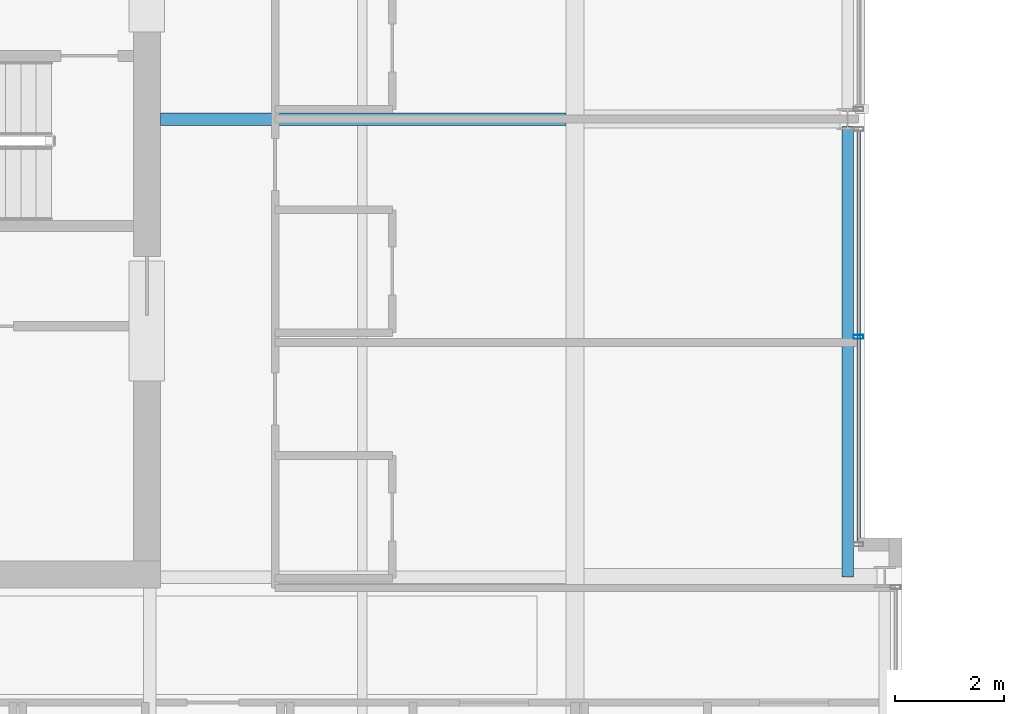
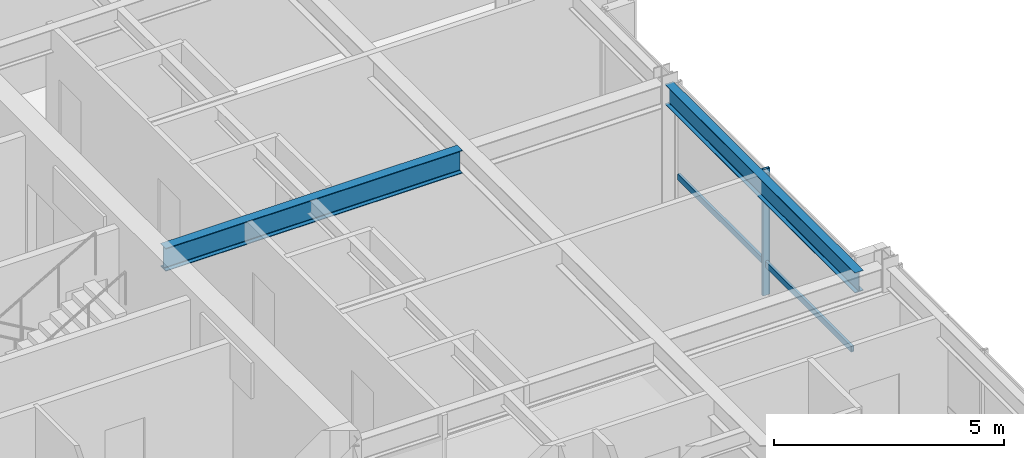
# One storey, part 14 of 33: 2 beams, 2 members, 1 element without a shape of its own.
"""IFC4 building model written with IfcOpenShell, lengths in metres."""

from ifc_helpers import new_model, si_unit, direction, frame, origin, origin_2d, place, context, subcontext, project, spatial, hollow_rectangle, i_section, extrude, material, layer, layer_set, material_profile, profile_set, type_object, element, aggregate, save


model = new_model("IFC4")

# Units and contexts
model_context = context("Model", 3, precision=1e-05, world=origin(), true_north=direction((0.0, 1.0)))
body_context = subcontext(model_context, "Body", "Model", "MODEL_VIEW")
ifc_project = project(units=[si_unit("LENGTHUNIT", "METRE"), si_unit("AREAUNIT", "SQUARE_METRE"), si_unit("VOLUMEUNIT", "CUBIC_METRE"), si_unit("PLANEANGLEUNIT", "RADIAN"), si_unit("MASSUNIT", "GRAM", prefix="KILO")], contexts=[model_context])

# Site, building, storey
site_placement = place(None, origin())
site = spatial("IfcSite", under=ifc_project, at=site_placement, CompositionType="ELEMENT")
building_placement = place(site_placement, origin())
building = spatial("IfcBuilding", under=site, at=building_placement, Name="Drelvath Grand Hotel", CompositionType="ELEMENT")
storey_placement = place(building_placement, frame((0.0, 0.0, 212.300048828125)))
storey = spatial("IfcBuildingStorey", under=building, at=storey_placement, Name="L55", CompositionType="ELEMENT", Elevation=212.300048828125)

# Curtain wall, members
ifc_material_1 = material(Name="Platinum-Mist Anodised Aluminium Frame", Category="aluminium")
ifc_layer = layer(ifc_material_1, 0.199951171875)
ifc_layer_set = layer_set([ifc_layer], Name="Platinum-Mist Anodised Aluminium Frame")
curtain_wall_type = type_object("IfcCurtainWallType", Name="Stick Curtain Wall CW-05 Platinum Mist High-Rise", PredefinedType="NOTDEFINED", material=ifc_layer_set)
curtain_wall_placement = place(storey_placement, origin())
curtain_wall = element("IfcCurtainWall", 1, at=curtain_wall_placement, inside=storey, type_object=curtain_wall_type, Name="L55 CW-05 Curtain Wall CW05-L55-EM1", PredefinedType="NOTDEFINED")
ifc_material_profile_1 = material_profile(ifc_material_1, hollow_rectangle(XDim=0.06494140625, YDim=0.159912109375, WallThickness=0.00390625, at=origin_2d()), Name="HSS160X65X4")
ifc_profile_set_1 = profile_set([ifc_material_profile_1], Name="Platinum-Mist Anodised Aluminium Frame")
member_type_1 = type_object("IfcMemberType", Name="Curtain Wall Horizontal Transom CW-05 HSS160X65X4", PredefinedType="USERDEFINED", material=ifc_profile_set_1)
member_1_placement = place(storey_placement, frame((21.39990234375, 26.774658203125, 0.8349609375), z_axis=(0.0, -1.0, 0.0), x_axis=(1.0, 0.0, 0.0)))
member_1 = element("IfcMember", 2, at=member_1_placement, type_object=member_type_1, Name="CW05-L55-EM1 Sill Transom", ObjectType="TRANSOM", PredefinedType="USERDEFINED", context=body_context, shape_type="SweptSolid", body=[
    extrude(hollow_rectangle(XDim=0.06494140625, YDim=0.159912109375, WallThickness=0.00390625, at=origin_2d()), origin(), (0.0, 0.0, 1.0), 7.53466796875),
])
ifc_material_profile_2 = material_profile(ifc_material_1, hollow_rectangle(XDim=0.074951171875, YDim=0.179931640625, WallThickness=0.0048828125, at=origin_2d()), Name="HSS180X75X5")
ifc_profile_set_2 = profile_set([ifc_material_profile_2], Name="Platinum-Mist Anodised Aluminium Frame")
member_type_2 = type_object("IfcMemberType", Name="Curtain Wall Vertical Mullion CW-05 HSS180X75X5", PredefinedType="MULLION", material=ifc_profile_set_2)
member_2_placement = place(storey_placement, frame((21.39990234375, 23.00732421875, 0.0), z_axis=(0.0, 0.0, 1.0), x_axis=(0.0, 1.0, 0.0)))
member_2 = element("IfcMember", 3, at=member_2_placement, type_object=member_type_2, Name="CW05-L55-EM1 Mullion 2", PredefinedType="MULLION", context=body_context, shape_type="SweptSolid", body=[
    extrude(hollow_rectangle(XDim=0.074951171875, YDim=0.179931640625, WallThickness=0.0048828125, at=origin_2d()), origin(), (0.0, 0.0, 1.0), 3.33984375),
])
aggregate(curtain_wall, [member_2, member_1])

# Beams
ifc_material_2 = material(Name="Steel ASTM A992 Gr 50", Category="steel")
ifc_material_profile_3 = material_profile(ifc_material_2, i_section(OverallWidth=0.210205078125, OverallDepth=0.53662109375, WebThickness=0.010986328125, FlangeThickness=0.017333984375, FilletRadius=0.01806640625, at=origin_2d()), Name="W21X68")
ifc_profile_set_3 = profile_set([ifc_material_profile_3], Name="Steel ASTM A992 Gr 50")
beam_type_1 = type_object("IfcBeamType", Name="Perimeter Spandrel Beam W21X68", PredefinedType="SPANDREL", material=ifc_profile_set_3)
beam_1_placement = place(storey_placement, frame((21.199951171875, 18.60009765625, 3.071533203125), z_axis=(0.0, 1.0, 0.0), x_axis=(-1.0, 0.0, 0.0)))
element("IfcBeam", 4, at=beam_1_placement, inside=storey, type_object=beam_type_1, Name="L55 Spandrel East Mid S", PredefinedType="SPANDREL", context=body_context, shape_type="SweptSolid", body=[
    extrude(i_section(OverallWidth=0.210205078125, OverallDepth=0.53662109375, WebThickness=0.010986328125, FlangeThickness=0.017333984375, FilletRadius=0.01806640625, at=origin_2d()), origin(), (0.0, 0.0, 1.0), 8.260009765625),
])
ifc_material_profile_4 = material_profile(ifc_material_2, i_section(OverallWidth=0.228271484375, OverallDepth=0.607666015625, WebThickness=0.01123046875, FlangeThickness=0.017333984375, FilletRadius=0.02001953125, at=origin_2d()), Name="W24X76")
ifc_profile_set_4 = profile_set([ifc_material_profile_4], Name="Steel ASTM A992 Gr 50")
beam_type_2 = type_object("IfcBeamType", Name="Primary Floor Girder W24X76", PredefinedType="BEAM", material=ifc_profile_set_4)
beam_2_placement = place(storey_placement, frame((8.60009765625, 27.0, 3.0361328125), z_axis=(1.0, 0.0, 0.0), x_axis=(0.0, 1.0, 0.0)))
element("IfcBeam", 5, at=beam_2_placement, inside=storey, type_object=beam_type_2, Name="L55 East Core Tie E", PredefinedType="BEAM", context=body_context, shape_type="SweptSolid", body=[
    extrude(i_section(OverallWidth=0.228271484375, OverallDepth=0.607666015625, WebThickness=0.01123046875, FlangeThickness=0.017333984375, FilletRadius=0.02001953125, at=origin_2d()), origin(), (0.0, 0.0, 1.0), 7.43798828125),
])

save(model, "model.ifc")
